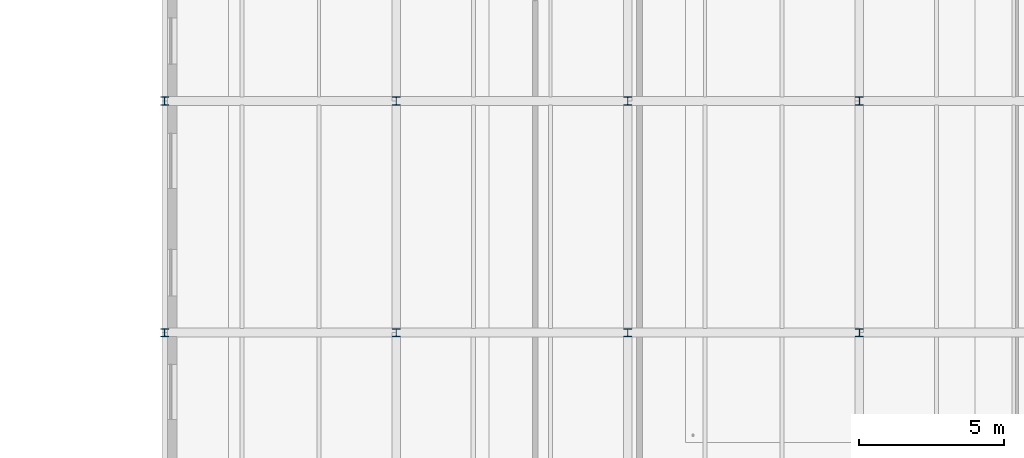
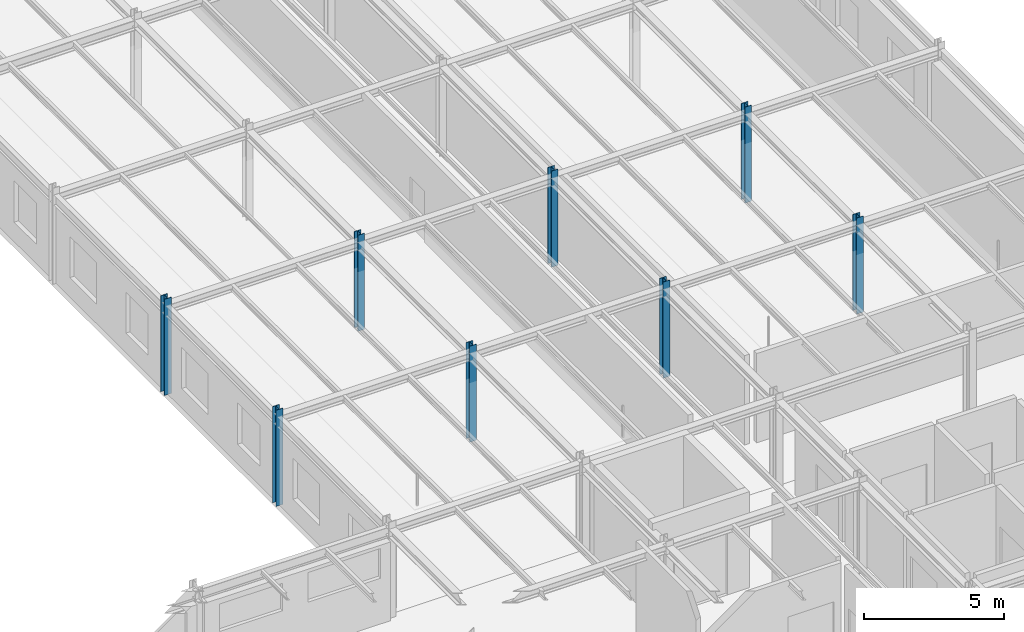
# One storey, part 15 of 124: 8 columns.
"""IFC4 building model written with IfcOpenShell, lengths in metres."""

from ifc_helpers import new_model, si_unit, direction, frame, origin, origin_2d, place, context, subcontext, project, spatial, i_section, extrude, material, material_profile, profile_set, type_object, element, save


model = new_model("IFC4")

# Units and contexts
model_context = context("Model", 3, precision=1e-05, world=origin(), true_north=direction((0.0, 1.0)))
body_context = subcontext(model_context, "Body", "Model", "MODEL_VIEW")
ifc_project = project(units=[si_unit("LENGTHUNIT", "METRE"), si_unit("AREAUNIT", "SQUARE_METRE"), si_unit("VOLUMEUNIT", "CUBIC_METRE"), si_unit("PLANEANGLEUNIT", "RADIAN"), si_unit("MASSUNIT", "GRAM", prefix="KILO")], contexts=[model_context])

# Site, building, storey
site_placement = place(None, origin())
site = spatial("IfcSite", under=ifc_project, at=site_placement, CompositionType="ELEMENT")
building_placement = place(site_placement, origin())
building = spatial("IfcBuilding", under=site, at=building_placement, Name="Sundkrona Museum", CompositionType="ELEMENT")
storey_placement = place(building_placement, frame((0.0, 0.0, 17.60009765625)))
storey = spatial("IfcBuildingStorey", under=building, at=storey_placement, Name="L03", CompositionType="ELEMENT", Elevation=17.60009765625)

# Columns
ifc_material = material(Name="Steel S355J2", Category="steel")
ifc_material_profile = material_profile(ifc_material, i_section(OverallWidth=0.280029296875, OverallDepth=0.280029296875, WebThickness=0.010498046875, FlangeThickness=0.01806640625, FilletRadius=0.02392578125, at=origin_2d()), Name="HEB 280")
ifc_profile_set = profile_set([ifc_material_profile], Name="Steel S355J2")
column_type = type_object("IfcColumnType", Name="C-HEB280", PredefinedType="COLUMN", material=ifc_profile_set)
for number, where, z_axis, x_axis, name in (
    (1, (136.0, 54.0, 0.0), (0.0, 0.0, 1.0), (1.0, 0.0, 0.0), "L03 Column H/18"),
    (2, (136.0, 62.0, 0.0), (0.0, 0.0, 1.0), (1.0, 0.0, 0.0), "L03 Column J/18"),
    (3, (144.0, 54.0, 0.0), (0.0, 0.0, 1.0), (1.0, 0.0, 0.0), "L03 Column H/19"),
    (4, (144.0, 62.0, 0.0), (0.0, 0.0, 1.0), (1.0, 0.0, 0.0), "L03 Column J/19"),
    (5, (152.0, 54.0, 0.0), (0.0, 0.0, 1.0), (1.0, 0.0, 0.0), "L03 Column H/20"),
    (6, (152.0, 62.0, 0.0), (0.0, 0.0, 1.0), (1.0, 0.0, 0.0), "L03 Column J/20"),
    (7, (160.0, 54.0, 0.0), (0.0, 0.0, 1.0), (1.0, 0.0, 0.0), "L03 Column H/21"),
    (8, (160.0, 62.0, 0.0), (0.0, 0.0, 1.0), (1.0, 0.0, 0.0), "L03 Column J/21"),
):
    element("IfcColumn", number, at=place(storey_placement, frame(where, z_axis=z_axis, x_axis=x_axis)), inside=storey, type_object=column_type, Name=name, PredefinedType="COLUMN", context=body_context, shape_type="SweptSolid", body=[
        extrude(i_section(OverallWidth=0.280029296875, OverallDepth=0.280029296875, WebThickness=0.010498046875, FlangeThickness=0.01806640625, FilletRadius=0.02392578125, at=origin_2d()), origin(), (0.0, 0.0, 1.0), 4.199951171875),
    ])

save(model, "model.ifc")
